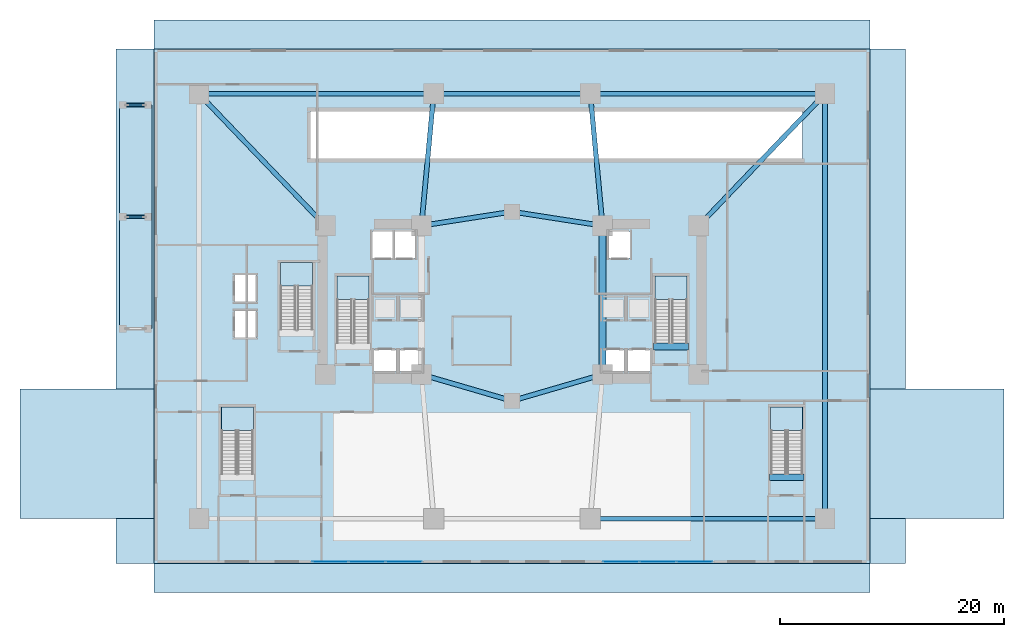
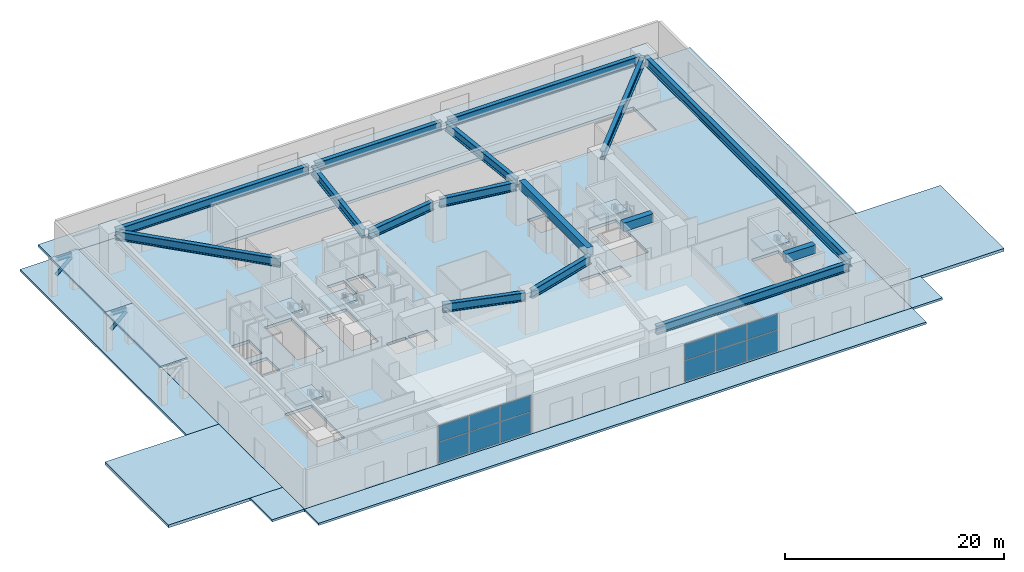
# One storey, part 8 of 18: 18 beams, 16 slabs, 12 plates, 2 members, 7 elements without a shape of their own.
"""IFC4 building model written with IfcOpenShell, lengths in metres."""

from ifc_helpers import new_model, si_unit, direction, frame, origin, origin_2d, place, context, subcontext, project, spatial, polyline, rectangle, hollow_circle, i_section, outline, extrude, material, layer, layer_set, material_profile, profile_set, type_object, element, aggregate, save


model = new_model("IFC4")

# Units and contexts
model_context = context("Model", 3, precision=1e-05, world=origin(), true_north=direction((0.0, 1.0)))
body_context = subcontext(model_context, "Body", "Model", "MODEL_VIEW")
ifc_project = project(units=[si_unit("LENGTHUNIT", "METRE"), si_unit("AREAUNIT", "SQUARE_METRE"), si_unit("VOLUMEUNIT", "CUBIC_METRE"), si_unit("PLANEANGLEUNIT", "RADIAN"), si_unit("MASSUNIT", "GRAM", prefix="KILO")], contexts=[model_context])

# Site, building, storey
site_placement = place(None, origin())
site = spatial("IfcSite", under=ifc_project, at=site_placement, CompositionType="ELEMENT")
building_placement = place(site_placement, origin())
building = spatial("IfcBuilding", under=site, at=building_placement, Name="Solvane Sanctuary Tower", CompositionType="ELEMENT")
storey_placement = place(building_placement, origin())
storey = spatial("IfcBuildingStorey", under=building, at=storey_placement, Name="L01", CompositionType="ELEMENT", Elevation=0.0)

# Beams
ifc_material_1 = material(Name="Concrete C70/85", Category="concrete")
ifc_material_profile_1 = material_profile(ifc_material_1, rectangle(XDim=0.60009765625, YDim=0.949951171875, at=origin_2d()), Name="RC600X950")
ifc_profile_set_1 = profile_set([ifc_material_profile_1], Name="Concrete C70/85")
beam_type_1 = type_object("IfcBeamType", Name="Beam B-COUPLE RC600X950", PredefinedType="LINTEL", material=ifc_profile_set_1)
beam_1_placement = place(storey_placement, frame((40.10009765625, 17.35009765625, 4.125), z_axis=(0.0, 1.0, 0.0), x_axis=(-1.0, 0.0, 0.0)))
element("IfcBeam", 1, at=beam_1_placement, inside=storey, type_object=beam_type_1, Name="L01 East Core Coupling Lintel", PredefinedType="LINTEL", context=body_context, shape_type="SweptSolid", body=[
    extrude(rectangle(XDim=0.60009765625, YDim=0.949951171875, at=origin_2d()), origin(), (0.0, 0.0, 1.0), 12.39990234375),
])
beam_2_placement = place(storey_placement, frame((44.64990234375, 19.399169921875, 4.125), z_axis=(1.0, 0.0, 0.0), x_axis=(0.0, 1.0, 0.0)))
element("IfcBeam", 2, at=beam_2_placement, inside=storey, type_object=beam_type_1, Name="L01 ST-2 Stair Floor Landing Trimmer", PredefinedType="LINTEL", context=body_context, shape_type="SweptSolid", body=[
    extrude(rectangle(XDim=0.60009765625, YDim=0.949951171875, at=origin_2d()), origin(), (0.0, 0.0, 1.0), 3.1201171875),
])
beam_3_placement = place(storey_placement, frame((55.010009765625, 7.69921875, 4.125), z_axis=(1.0, 0.0, 0.0), x_axis=(0.0, 1.0, 0.0)))
element("IfcBeam", 3, at=beam_3_placement, inside=storey, type_object=beam_type_1, Name="L01 ST-5 Stair Floor Landing Trimmer", PredefinedType="LINTEL", context=body_context, shape_type="SweptSolid", body=[
    extrude(rectangle(XDim=0.60009765625, YDim=0.949951171875, at=origin_2d()), origin(), (0.0, 0.0, 1.0), 3.119873046875),
])
ifc_material_2 = material(Name="Steel ASTM A913 Grade 65", Category="steel")
ifc_material_profile_2 = material_profile(ifc_material_2, i_section(OverallWidth=0.423095703125, OverallDepth=0.947998046875, WebThickness=0.02392578125, FlangeThickness=0.042724609375, FilletRadius=0.02392578125, at=origin_2d()), Name="W36X302")
ifc_profile_set_2 = profile_set([ifc_material_profile_2], Name="Steel ASTM A913 Grade 65")
beam_type_2 = type_object("IfcBeamType", Name="Beam B-POD-GIRD W36X302", PredefinedType="BEAM", material=ifc_profile_set_2)
beam_4_placement = place(storey_placement, frame((39.35009765625, 4.0, 3.803955078125), z_axis=(1.0, 0.0, 0.0), x_axis=(0.0, 1.0, 0.0)))
element("IfcBeam", 4, at=beam_4_placement, inside=storey, type_object=beam_type_2, Name="L01 Podium Primary Girder PG3", PredefinedType="BEAM", context=body_context, shape_type="SweptSolid", body=[
    extrude(i_section(OverallWidth=0.423095703125, OverallDepth=0.947998046875, WebThickness=0.02392578125, FlangeThickness=0.042724609375, FilletRadius=0.02392578125, at=origin_2d()), origin(), (0.0, 0.0, 1.0), 20.2998046875),
])
beam_5_placement = place(storey_placement, frame((60.0, 4.35009765625, 3.803955078125), z_axis=(0.0, 1.0, 0.0), x_axis=(-1.0, 0.0, 0.0)))
element("IfcBeam", 5, at=beam_5_placement, inside=storey, type_object=beam_type_2, Name="L01 Podium Primary Girder PG4", PredefinedType="BEAM", context=body_context, shape_type="SweptSolid", body=[
    extrude(i_section(OverallWidth=0.423095703125, OverallDepth=0.947998046875, WebThickness=0.02392578125, FlangeThickness=0.042724609375, FilletRadius=0.02392578125, at=origin_2d()), origin(), (0.0, 0.0, 1.0), 37.2998046875),
])
beam_6_placement = place(storey_placement, frame((59.64990234375, 42.0, 3.803955078125), z_axis=(-1.0, 0.0, 0.0), x_axis=(0.0, -1.0, 0.0)))
element("IfcBeam", 6, at=beam_6_placement, inside=storey, type_object=beam_type_2, Name="L01 Podium Primary Girder PG5", PredefinedType="BEAM", context=body_context, shape_type="SweptSolid", body=[
    extrude(i_section(OverallWidth=0.423095703125, OverallDepth=0.947998046875, WebThickness=0.02392578125, FlangeThickness=0.042724609375, FilletRadius=0.02392578125, at=origin_2d()), origin(), (0.0, 0.0, 1.0), 20.2998046875),
])
beam_7_placement = place(storey_placement, frame((38.64990234375, 42.0, 3.803955078125), z_axis=(-1.0, 0.0, 0.0), x_axis=(0.0, -1.0, 0.0)))
element("IfcBeam", 7, at=beam_7_placement, inside=storey, type_object=beam_type_2, Name="L01 Podium Primary Girder PG6", PredefinedType="BEAM", context=body_context, shape_type="SweptSolid", body=[
    extrude(i_section(OverallWidth=0.423095703125, OverallDepth=0.947998046875, WebThickness=0.02392578125, FlangeThickness=0.042724609375, FilletRadius=0.02392578125, at=origin_2d()), origin(), (0.0, 0.0, 1.0), 13.2998046875),
])
beam_8_placement = place(storey_placement, frame((24.64990234375, 42.0, 3.803955078125), z_axis=(-1.0, 0.0, 0.0), x_axis=(0.0, -1.0, 0.0)))
element("IfcBeam", 8, at=beam_8_placement, inside=storey, type_object=beam_type_2, Name="L01 Podium Primary Girder PG7", PredefinedType="BEAM", context=body_context, shape_type="SweptSolid", body=[
    extrude(i_section(OverallWidth=0.423095703125, OverallDepth=0.947998046875, WebThickness=0.02392578125, FlangeThickness=0.042724609375, FilletRadius=0.02392578125, at=origin_2d()), origin(), (0.0, 0.0, 1.0), 20.2998046875),
])
for number, where, z_axis, x_axis, name in (
    (9, (24.967529296875, 41.651611328125, 3.803955078125), (-0.092807615301, -0.9956840596, 0.0), (0.9956840596, -0.092807615301, 0.0), "L01 Podium Primary Girder PG11"),
    (10, (39.032470703125, 41.651611328125, 3.803955078125), (0.092807615301, -0.9956840596, 0.0), (0.9956840596, 0.092807615301, 0.0), "L01 Podium Primary Girder PG12"),
):
    element("IfcBeam", number, at=place(storey_placement, frame(where, z_axis=z_axis, x_axis=x_axis)), inside=storey, type_object=beam_type_2, Name=name, PredefinedType="BEAM", context=body_context, shape_type="SweptSolid", body=[
        extrude(i_section(OverallWidth=0.423095703125, OverallDepth=0.947998046875, WebThickness=0.02392578125, FlangeThickness=0.042724609375, FilletRadius=0.02392578125, at=origin_2d()), origin(), (0.0, 0.0, 1.0), 11.151123046875),
    ])
for number, where, z_axis, x_axis, name in (
    (11, (4.2421875, 41.747314453125, 3.803955078125), (0.691633366234, -0.722248770654, 0.0), (0.722248770654, 0.691633366234, 0.0), "L01 Podium Primary Girder PG14"),
    (12, (59.7578125, 41.747314453125, 3.803955078125), (-0.691633366234, -0.722248770654, 0.0), (0.722248770654, -0.691633366234, 0.0), "L01 Podium Primary Girder PG16"),
):
    element("IfcBeam", number, at=place(storey_placement, frame(where, z_axis=z_axis, x_axis=x_axis)), inside=storey, type_object=beam_type_2, Name=name, PredefinedType="BEAM", context=body_context, shape_type="SweptSolid", body=[
        extrude(i_section(OverallWidth=0.423095703125, OverallDepth=0.947998046875, WebThickness=0.02392578125, FlangeThickness=0.042724609375, FilletRadius=0.02392578125, at=origin_2d()), origin(), (0.0, 0.0, 1.0), 15.637939453125),
    ])
for number, where, z_axis, x_axis, name in (
    (13, (24.236083984375, 16.802001953125, 3.803955078125), (0.960084424813, -0.279710380987, 0.0), (0.279710380987, 0.960084424813, 0.0), "L01 Podium Primary Girder PG17"),
    (14, (32.3359375, 14.637939453125, 3.803955078125), (0.960084424813, 0.279710380987, 0.0), (-0.279710380987, 0.960084424813, 0.0), "L01 Podium Primary Girder PG18"),
):
    element("IfcBeam", number, at=place(storey_placement, frame(where, z_axis=z_axis, x_axis=x_axis)), inside=storey, type_object=beam_type_2, Name=name, PredefinedType="BEAM", context=body_context, shape_type="SweptSolid", body=[
        extrude(i_section(OverallWidth=0.423095703125, OverallDepth=0.947998046875, WebThickness=0.02392578125, FlangeThickness=0.042724609375, FilletRadius=0.02392578125, at=origin_2d()), origin(), (0.0, 0.0, 1.0), 7.73681640625),
    ])
for number, where, z_axis, x_axis, name in (
    (15, (24.245849609375, 30.25390625, 3.803955078125), (0.988118117449, 0.153696408448, 0.0), (-0.153696408448, 0.988118117449, 0.0), "L01 Podium Primary Girder PG19"),
    (16, (32.345703125, 31.40625, 3.803955078125), (0.988118117449, -0.153696408448, 0.0), (0.153696408448, 0.988118117449, 0.0), "L01 Podium Primary Girder PG20"),
):
    element("IfcBeam", number, at=place(storey_placement, frame(where, z_axis=z_axis, x_axis=x_axis)), inside=storey, type_object=beam_type_2, Name=name, PredefinedType="BEAM", context=body_context, shape_type="SweptSolid", body=[
        extrude(i_section(OverallWidth=0.423095703125, OverallDepth=0.947998046875, WebThickness=0.02392578125, FlangeThickness=0.042724609375, FilletRadius=0.02392578125, at=origin_2d()), origin(), (0.0, 0.0, 1.0), 7.49755859375),
    ])
ifc_material_3 = material(Name="Steel ASTM A992 Grade 50", Category="steel")
ifc_material_profile_3 = material_profile(ifc_material_3, i_section(OverallWidth=0.180908203125, OverallDepth=0.4169921875, WebThickness=0.010986328125, FlangeThickness=0.018310546875, FilletRadius=0.012939453125, at=origin_2d()), Name="W16X57")
ifc_profile_set_3 = profile_set([ifc_material_profile_3], Name="Steel ASTM A992 Grade 50")
beam_type_3 = type_object("IfcBeamType", Name="Beam B-ROOF-BM W16X57", PredefinedType="BEAM", material=ifc_profile_set_3)
for number, where, z_axis, x_axis, name in (
    (17, (-2.47998046875, 31.0, 3.83154296875), (1.0, 0.0, 0.0), (0.0, 1.0, 0.0), "L01 Canopy Tie Beam W2"),
    (18, (-2.47998046875, 41.0, 3.83154296875), (1.0, 0.0, 0.0), (0.0, 1.0, 0.0), "L01 Canopy Tie Beam W3"),
):
    element("IfcBeam", number, at=place(storey_placement, frame(where, z_axis=z_axis, x_axis=x_axis)), inside=storey, type_object=beam_type_3, Name=name, PredefinedType="BEAM", context=body_context, shape_type="SweptSolid", body=[
        extrude(i_section(OverallWidth=0.180908203125, OverallDepth=0.4169921875, WebThickness=0.010986328125, FlangeThickness=0.018310546875, FilletRadius=0.012939453125, at=origin_2d()), origin(), (0.0, 0.0, 1.0), 1.60986328125),
    ])

# Members
ifc_material_4 = material(Name="Steel ASTM A500 Grade C", Category="steel")
ifc_material_profile_4 = material_profile(ifc_material_4, hollow_circle(Radius=0.161865234375, WallThickness=0.010009765625, at=origin_2d()), Name="CHS323.9X10")
ifc_profile_set_4 = profile_set([ifc_material_profile_4], Name="Steel ASTM A500 Grade C")
member_type = type_object("IfcMemberType", Name="Member M-CANOPY-ST CHS323.9X10", PredefinedType="STRUT", material=ifc_profile_set_4)
for number, where, z_axis, x_axis, name in (
    (19, (-2.467529296875, 31.0, 2.10009765625), (0.742196177403, 0.0, 0.670182687219), (0.0, 1.0, 0.0), "L01 Canopy Raking Strut W2"),
    (20, (-2.467529296875, 41.0, 2.10009765625), (0.742196177403, 0.0, 0.670182687219), (0.0, 1.0, 0.0), "L01 Canopy Raking Strut W3"),
):
    element("IfcMember", number, at=place(storey_placement, frame(where, z_axis=z_axis, x_axis=x_axis)), inside=storey, type_object=member_type, Name=name, PredefinedType="STRUT", context=body_context, shape_type="SweptSolid", body=[
        extrude(hollow_circle(Radius=0.161865234375, WallThickness=0.010009765625, at=origin_2d()), origin(), (0.0, 0.0, 1.0), 2.1357421875),
    ])

# Curtain wall, plates
ifc_material_5 = material(Name="Anodised Aluminium 6063-T6", Category="aluminium")
ifc_layer_1 = layer(ifc_material_5, 0.159912109375, Name="Anodised Aluminium 6063-T6")
ifc_layer_set_1 = layer_set([ifc_layer_1], Name="Anodised Aluminium 6063-T6")
curtain_wall_type = type_object("IfcCurtainWallType", Name="Curtain Wall CW-POD", PredefinedType="NOTDEFINED", material=ifc_layer_set_1)
curtain_wall_1_placement = place(storey_placement, origin())
curtain_wall_1 = element("IfcCurtainWall", 21, at=curtain_wall_1_placement, inside=storey, type_object=curtain_wall_type, Name="L01 Arrival Curtain Wall S2", PredefinedType="NOTDEFINED")
ifc_material_6 = material(Name="Dark Ceramic-Fritted Low-E Glass", Category="glass")
ifc_layer_2 = layer(ifc_material_6, 0.031982421875, Name="Dark Ceramic-Fritted Low-E Glass")
ifc_layer_set_2 = layer_set([ifc_layer_2], Name="Dark Ceramic-Fritted Low-E Glass")
plate_type = type_object("IfcPlateType", Name="Plate PN-FRIT-VIS", PredefinedType="CURTAIN_PANEL", material=ifc_layer_set_2)
plate_1_placement = place(storey_placement, frame((15.752197265625, 0.14990234375, 0.06494140625), z_axis=(0.0, 0.0, 1.0), x_axis=(1.0, 0.0, 0.0)))
plate_1 = element("IfcPlate", 22, at=plate_1_placement, type_object=plate_type, Name="CW-POD panel 1.1", PredefinedType="CURTAIN_PANEL", context=body_context, shape_type="SweptSolid", body=[
    extrude(rectangle(XDim=3.194091796875, YDim=0.031982421875, at=origin_2d()), origin(), (0.0, 0.0, 1.0), 2.302490234375),
])
plate_2_placement = place(storey_placement, frame((15.752197265625, 0.14990234375, 2.4326171875), z_axis=(0.0, 0.0, 1.0), x_axis=(1.0, 0.0, 0.0)))
plate_2 = element("IfcPlate", 23, at=plate_2_placement, type_object=plate_type, Name="CW-POD panel 1.2", PredefinedType="CURTAIN_PANEL", context=body_context, shape_type="SweptSolid", body=[
    extrude(rectangle(XDim=3.194091796875, YDim=0.031982421875, at=origin_2d()), origin(), (0.0, 0.0, 1.0), 1.782470703125),
])
plate_3_placement = place(storey_placement, frame((19.0400390625, 0.14990234375, 0.06494140625), z_axis=(0.0, 0.0, 1.0), x_axis=(1.0, 0.0, 0.0)))
plate_3 = element("IfcPlate", 24, at=plate_3_placement, type_object=plate_type, Name="CW-POD panel 2.1", PredefinedType="CURTAIN_PANEL", context=body_context, shape_type="SweptSolid", body=[
    extrude(rectangle(XDim=3.231689453125, YDim=0.031982421875, at=origin_2d()), origin(), (0.0, 0.0, 1.0), 2.302490234375),
])
plate_4_placement = place(storey_placement, frame((19.0400390625, 0.14990234375, 2.4326171875), z_axis=(0.0, 0.0, 1.0), x_axis=(1.0, 0.0, 0.0)))
plate_4 = element("IfcPlate", 25, at=plate_4_placement, type_object=plate_type, Name="CW-POD panel 2.2", PredefinedType="CURTAIN_PANEL", context=body_context, shape_type="SweptSolid", body=[
    extrude(rectangle(XDim=3.231689453125, YDim=0.031982421875, at=origin_2d()), origin(), (0.0, 0.0, 1.0), 1.782470703125),
])
plate_5_placement = place(storey_placement, frame((22.327880859375, 0.14990234375, 0.06494140625), z_axis=(0.0, 0.0, 1.0), x_axis=(1.0, 0.0, 0.0)))
plate_5 = element("IfcPlate", 26, at=plate_5_placement, type_object=plate_type, Name="CW-POD panel 3.1", PredefinedType="CURTAIN_PANEL", context=body_context, shape_type="SweptSolid", body=[
    extrude(rectangle(XDim=3.194091796875, YDim=0.031982421875, at=origin_2d()), origin(), (0.0, 0.0, 1.0), 2.302490234375),
])
plate_6_placement = place(storey_placement, frame((22.327880859375, 0.14990234375, 2.4326171875), z_axis=(0.0, 0.0, 1.0), x_axis=(1.0, 0.0, 0.0)))
plate_6 = element("IfcPlate", 27, at=plate_6_placement, type_object=plate_type, Name="CW-POD panel 3.2", PredefinedType="CURTAIN_PANEL", context=body_context, shape_type="SweptSolid", body=[
    extrude(rectangle(XDim=3.194091796875, YDim=0.031982421875, at=origin_2d()), origin(), (0.0, 0.0, 1.0), 1.782470703125),
])
aggregate(curtain_wall_1, [plate_1, plate_2, plate_3, plate_4, plate_5, plate_6])

curtain_wall_2_placement = place(storey_placement, origin())
curtain_wall_2 = element("IfcCurtainWall", 28, at=curtain_wall_2_placement, inside=storey, type_object=curtain_wall_type, Name="L01 Arrival Curtain Wall S4", PredefinedType="NOTDEFINED")
plate_7_placement = place(storey_placement, frame((41.752197265625, 0.14990234375, 0.06494140625), z_axis=(0.0, 0.0, 1.0), x_axis=(1.0, 0.0, 0.0)))
plate_7 = element("IfcPlate", 29, at=plate_7_placement, type_object=plate_type, Name="CW-POD panel 1.1", PredefinedType="CURTAIN_PANEL", context=body_context, shape_type="SweptSolid", body=[
    extrude(rectangle(XDim=3.194091796875, YDim=0.031982421875, at=origin_2d()), origin(), (0.0, 0.0, 1.0), 2.302490234375),
])
plate_8_placement = place(storey_placement, frame((41.752197265625, 0.14990234375, 2.4326171875), z_axis=(0.0, 0.0, 1.0), x_axis=(1.0, 0.0, 0.0)))
plate_8 = element("IfcPlate", 30, at=plate_8_placement, type_object=plate_type, Name="CW-POD panel 1.2", PredefinedType="CURTAIN_PANEL", context=body_context, shape_type="SweptSolid", body=[
    extrude(rectangle(XDim=3.194091796875, YDim=0.031982421875, at=origin_2d()), origin(), (0.0, 0.0, 1.0), 1.782470703125),
])
plate_9_placement = place(storey_placement, frame((45.0400390625, 0.14990234375, 0.06494140625), z_axis=(0.0, 0.0, 1.0), x_axis=(1.0, 0.0, 0.0)))
plate_9 = element("IfcPlate", 31, at=plate_9_placement, type_object=plate_type, Name="CW-POD panel 2.1", PredefinedType="CURTAIN_PANEL", context=body_context, shape_type="SweptSolid", body=[
    extrude(rectangle(XDim=3.231689453125, YDim=0.031982421875, at=origin_2d()), origin(), (0.0, 0.0, 1.0), 2.302490234375),
])
plate_10_placement = place(storey_placement, frame((45.0400390625, 0.14990234375, 2.4326171875), z_axis=(0.0, 0.0, 1.0), x_axis=(1.0, 0.0, 0.0)))
plate_10 = element("IfcPlate", 32, at=plate_10_placement, type_object=plate_type, Name="CW-POD panel 2.2", PredefinedType="CURTAIN_PANEL", context=body_context, shape_type="SweptSolid", body=[
    extrude(rectangle(XDim=3.231689453125, YDim=0.031982421875, at=origin_2d()), origin(), (0.0, 0.0, 1.0), 1.782470703125),
])
plate_11_placement = place(storey_placement, frame((48.327880859375, 0.14990234375, 0.06494140625), z_axis=(0.0, 0.0, 1.0), x_axis=(1.0, 0.0, 0.0)))
plate_11 = element("IfcPlate", 33, at=plate_11_placement, type_object=plate_type, Name="CW-POD panel 3.1", PredefinedType="CURTAIN_PANEL", context=body_context, shape_type="SweptSolid", body=[
    extrude(rectangle(XDim=3.194091796875, YDim=0.031982421875, at=origin_2d()), origin(), (0.0, 0.0, 1.0), 2.302490234375),
])
plate_12_placement = place(storey_placement, frame((48.327880859375, 0.14990234375, 2.4326171875), z_axis=(0.0, 0.0, 1.0), x_axis=(1.0, 0.0, 0.0)))
plate_12 = element("IfcPlate", 34, at=plate_12_placement, type_object=plate_type, Name="CW-POD panel 3.2", PredefinedType="CURTAIN_PANEL", context=body_context, shape_type="SweptSolid", body=[
    extrude(rectangle(XDim=3.194091796875, YDim=0.031982421875, at=origin_2d()), origin(), (0.0, 0.0, 1.0), 1.782470703125),
])
aggregate(curtain_wall_2, [plate_7, plate_8, plate_9, plate_10, plate_11, plate_12])

# Slabs
ifc_material_7 = material(Name="Precast concrete C40/50", Category="concrete")
ifc_layer_3 = layer(ifc_material_7, 0.239990234375, Name="Precast concrete C40/50")
ifc_layer_set_3 = layer_set([ifc_layer_3], Name="Precast concrete C40/50")
slab_type_1 = type_object("IfcSlabType", Name="Slab SL-APRON-240", PredefinedType="USERDEFINED", material=ifc_layer_set_3)
slab_1_placement = place(storey_placement, frame((0.0, 0.0, -0.239990234375)))
element("IfcSlab", 35, at=slab_1_placement, inside=storey, type_object=slab_type_1, Name="L01 Public Arrival Plaza Paving WEST-S", ObjectType="PAVING", PredefinedType="USERDEFINED", context=body_context, shape_type="SweptSolid", body=[
    extrude(outline(polyline([(-3.39990234375, 0.0), (0.0, 0.0), (0.0, 4.0), (-3.39990234375, 4.0), (-3.39990234375, 0.0)])), origin(), (0.0, 0.0, 1.0), 0.239990234375),
])
slab_2_placement = place(storey_placement, frame((0.0, 0.0, -0.239990234375)))
element("IfcSlab", 36, at=slab_2_placement, inside=storey, type_object=slab_type_1, Name="L01 Public Arrival Plaza Paving WEST-N", ObjectType="PAVING", PredefinedType="USERDEFINED", context=body_context, shape_type="SweptSolid", body=[
    extrude(outline(polyline([(-3.39990234375, 15.60009765625), (0.0, 15.60009765625), (0.0, 46.0), (-3.39990234375, 46.0), (-3.39990234375, 15.60009765625)])), origin(), (0.0, 0.0, 1.0), 0.239990234375),
])
slab_3_placement = place(storey_placement, frame((0.0, 0.0, -0.239990234375)))
element("IfcSlab", 37, at=slab_3_placement, inside=storey, type_object=slab_type_1, Name="L01 Public Arrival Plaza Paving EAST-S", ObjectType="PAVING", PredefinedType="USERDEFINED", context=body_context, shape_type="SweptSolid", body=[
    extrude(outline(polyline([(64.0, 0.0), (67.199951171875, 0.0), (67.199951171875, 4.0), (64.0, 4.0), (64.0, 0.0)])), origin(), (0.0, 0.0, 1.0), 0.239990234375),
])
slab_4_placement = place(storey_placement, frame((0.0, 0.0, -0.239990234375)))
element("IfcSlab", 38, at=slab_4_placement, inside=storey, type_object=slab_type_1, Name="L01 Public Arrival Plaza Paving EAST-N", ObjectType="PAVING", PredefinedType="USERDEFINED", context=body_context, shape_type="SweptSolid", body=[
    extrude(outline(polyline([(64.0, 15.60009765625), (67.199951171875, 15.60009765625), (67.199951171875, 46.0), (64.0, 46.0), (64.0, 15.60009765625)])), origin(), (0.0, 0.0, 1.0), 0.239990234375),
])
slab_5_placement = place(storey_placement, frame((0.0, 0.0, -0.239990234375)))
element("IfcSlab", 39, at=slab_5_placement, inside=storey, type_object=slab_type_1, Name="L01 Public Arrival Plaza Paving SOUTH", ObjectType="PAVING", PredefinedType="USERDEFINED", context=body_context, shape_type="SweptSolid", body=[
    extrude(outline(polyline([(0.0, -2.60009765625), (64.0, -2.60009765625), (64.0, 0.0), (0.0, 0.0), (0.0, -2.60009765625)])), origin(), (0.0, 0.0, 1.0), 0.239990234375),
])
slab_6_placement = place(storey_placement, frame((0.0, 0.0, -0.239990234375)))
element("IfcSlab", 40, at=slab_6_placement, inside=storey, type_object=slab_type_1, Name="L01 Public Arrival Plaza Paving NORTH", ObjectType="PAVING", PredefinedType="USERDEFINED", context=body_context, shape_type="SweptSolid", body=[
    extrude(outline(polyline([(0.0, 46.0), (64.0, 46.0), (64.0, 48.60009765625), (0.0, 48.60009765625), (0.0, 46.0)])), origin(), (0.0, 0.0, 1.0), 0.239990234375),
])
ifc_layer_4 = layer(ifc_material_7, 0.179931640625, Name="Precast concrete C40/50")
ifc_layer_set_4 = layer_set([ifc_layer_4], Name="Precast concrete C40/50")
slab_type_2 = type_object("IfcSlabType", Name="Slab SL-CANOPY-180", PredefinedType="ROOF", material=ifc_layer_set_4)
slab_7_placement = place(storey_placement, frame((0.0, 0.0, 4.0400390625)))
element("IfcSlab", 41, at=slab_7_placement, inside=storey, type_object=slab_type_2, Name="L01 West Arrival Colonnade Canopy 1", PredefinedType="ROOF", context=body_context, shape_type="SweptSolid", body=[
    extrude(outline(polyline([(-3.10009765625, 21.0), (-0.199951171875, 21.0), (-0.199951171875, 31.0), (-3.10009765625, 31.0), (-3.10009765625, 21.0)])), origin(), (0.0, 0.0, 1.0), 0.179931640625),
])
slab_8_placement = place(storey_placement, frame((0.0, 0.0, 4.0400390625)))
element("IfcSlab", 42, at=slab_8_placement, inside=storey, type_object=slab_type_2, Name="L01 West Arrival Colonnade Canopy 2", PredefinedType="ROOF", context=body_context, shape_type="SweptSolid", body=[
    extrude(outline(polyline([(-3.10009765625, 31.0), (-0.199951171875, 31.0), (-0.199951171875, 41.0), (-3.10009765625, 41.0), (-3.10009765625, 31.0)])), origin(), (0.0, 0.0, 1.0), 0.179931640625),
])

# Stair, slab
ifc_material_8 = material(Name="Concrete C45/55", Category="concrete")
stair_type_1 = type_object("IfcStairType", Name="Stair ST-TOW", PredefinedType="HALF_TURN_STAIR", material=ifc_material_8)
stair_1_placement = place(storey_placement, origin())
stair_1 = element("IfcStair", 43, at=stair_1_placement, inside=storey, type_object=stair_type_1, Name="L01 Exit Stair ST-1 West Core", PredefinedType="HALF_TURN_STAIR")
ifc_layer_5 = layer(ifc_material_8, 0.199951171875, Name="Concrete C45/55")
ifc_layer_set_5 = layer_set([ifc_layer_5], Name="Concrete C45/55")
slab_type_3 = type_object("IfcSlabType", Name="Slab SL-LAND-180", PredefinedType="LANDING", material=ifc_layer_set_5)
slab_9_placement = place(storey_placement, frame((0.0, 0.0, 2.10009765625)))
slab_9 = element("IfcSlab", 44, at=slab_9_placement, type_object=slab_type_3, Name="ST-1 landing 1", PredefinedType="LANDING", context=body_context, shape_type="SweptSolid", body=[
    extrude(outline(polyline([(19.219970703125, 23.60009765625), (19.219970703125, 25.699951171875), (16.360107421875, 25.699951171875), (16.360107421875, 23.60009765625), (19.219970703125, 23.60009765625)])), origin(), (0.0, 0.0, 1.0), 0.199951171875),
])
aggregate(stair_1, [slab_9])

stair_2_placement = place(storey_placement, origin())
stair_2 = element("IfcStair", 45, at=stair_2_placement, inside=storey, type_object=stair_type_1, Name="L01 Exit Stair ST-2 East Core", PredefinedType="HALF_TURN_STAIR")
slab_10_placement = place(storey_placement, frame((0.0, 0.0, 2.10009765625)))
slab_10 = element("IfcSlab", 46, at=slab_10_placement, type_object=slab_type_3, Name="ST-2 landing 1", PredefinedType="LANDING", context=body_context, shape_type="SweptSolid", body=[
    extrude(outline(polyline([(47.639892578125, 23.60009765625), (47.639892578125, 25.699951171875), (44.780029296875, 25.699951171875), (44.780029296875, 23.60009765625), (47.639892578125, 23.60009765625)])), origin(), (0.0, 0.0, 1.0), 0.199951171875),
])
aggregate(stair_2, [slab_10])

stair_3_placement = place(storey_placement, origin())
stair_3 = element("IfcStair", 47, at=stair_3_placement, inside=storey, type_object=stair_type_1, Name="L01 Exit Stair ST-3 Pilgrim Tower Stair", PredefinedType="HALF_TURN_STAIR")
slab_11_placement = place(storey_placement, frame((0.0, 0.0, 2.10009765625)))
slab_11 = element("IfcSlab", 48, at=slab_11_placement, type_object=slab_type_3, Name="ST-3 landing 1", PredefinedType="LANDING", context=body_context, shape_type="SweptSolid", body=[
    extrude(outline(polyline([(14.159912109375, 24.800048828125), (14.159912109375, 26.89990234375), (11.300048828125, 26.89990234375), (11.300048828125, 24.800048828125), (14.159912109375, 24.800048828125)])), origin(), (0.0, 0.0, 1.0), 0.199951171875),
])
aggregate(stair_3, [slab_11])

ifc_material_9 = material(Name="Concrete C50/60", Category="concrete")
stair_type_2 = type_object("IfcStairType", Name="Stair ST-POD", PredefinedType="HALF_TURN_STAIR", material=ifc_material_9)
stair_4_placement = place(storey_placement, origin())
stair_4 = element("IfcStair", 49, at=stair_4_placement, inside=storey, type_object=stair_type_2, Name="L01 Exit Stair ST-4 Metro West Stair", PredefinedType="HALF_TURN_STAIR")
slab_12_placement = place(storey_placement, frame((0.0, 0.0, 2.10009765625)))
slab_12 = element("IfcSlab", 50, at=slab_12_placement, type_object=slab_type_3, Name="ST-4 landing 1", PredefinedType="LANDING", context=body_context, shape_type="SweptSolid", body=[
    extrude(outline(polyline([(8.860107421875, 11.89990234375), (8.860107421875, 14.0), (6.0, 14.0), (6.0, 11.89990234375), (8.860107421875, 11.89990234375)])), origin(), (0.0, 0.0, 1.0), 0.199951171875),
])
aggregate(stair_4, [slab_12])

stair_type_3 = type_object("IfcStairType", Name="Stair ST-METRO", PredefinedType="HALF_TURN_STAIR", material=ifc_material_9)
stair_5_placement = place(storey_placement, origin())
stair_5 = element("IfcStair", 51, at=stair_5_placement, inside=storey, type_object=stair_type_3, Name="L01 Exit Stair ST-5 Metro East Stair", PredefinedType="HALF_TURN_STAIR")
slab_13_placement = place(storey_placement, frame((0.0, 0.0, 2.10009765625)))
slab_13 = element("IfcSlab", 52, at=slab_13_placement, type_object=slab_type_3, Name="ST-5 landing 1", PredefinedType="LANDING", context=body_context, shape_type="SweptSolid", body=[
    extrude(outline(polyline([(58.0, 11.89990234375), (58.0, 14.0), (55.139892578125, 14.0), (55.139892578125, 11.89990234375), (58.0, 11.89990234375)])), origin(), (0.0, 0.0, 1.0), 0.199951171875),
])
aggregate(stair_5, [slab_13])

# Slabs
ifc_layer_6 = layer(ifc_material_9, 0.320068359375, Name="Concrete C50/60")
ifc_layer_set_6 = layer_set([ifc_layer_6], Name="Concrete C50/60")
slab_type_4 = type_object("IfcSlabType", Name="Slab SL-POD-300", PredefinedType="FLOOR", material=ifc_layer_set_6)
slab_14_placement = place(storey_placement, frame((0.0, 0.0, -0.320068359375)))
element("IfcSlab", 53, at=slab_14_placement, inside=storey, type_object=slab_type_4, Name="L01 Primary Structural Slab", PredefinedType="FLOOR", context=body_context, shape_type="SweptSolid", body=[
    extrude(outline(polyline([(0.0, 0.0), (64.0, 0.0), (64.0, 46.0), (0.0, 46.0), (0.0, 0.0)]), holes=[polyline([(16.360107421875, 19.699951171875), (16.360107421875, 25.699951171875), (19.219970703125, 25.699951171875), (19.219970703125, 19.699951171875), (16.360107421875, 19.699951171875)]), polyline([(44.780029296875, 19.699951171875), (44.780029296875, 25.699951171875), (47.639892578125, 25.699951171875), (47.639892578125, 19.699951171875), (44.780029296875, 19.699951171875)]), polyline([(11.300048828125, 20.89990234375), (11.300048828125, 26.89990234375), (14.159912109375, 26.89990234375), (14.159912109375, 20.89990234375), (11.300048828125, 20.89990234375)]), polyline([(6.0, 8.0), (6.0, 14.0), (8.860107421875, 14.0), (8.860107421875, 8.0), (6.0, 8.0)]), polyline([(55.139892578125, 8.0), (55.139892578125, 14.0), (58.0, 14.0), (58.0, 8.0), (55.139892578125, 8.0)]), polyline([(19.64990234375, 19.080078125), (21.64990234375, 19.080078125), (21.64990234375, 17.179931640625), (19.64990234375, 17.179931640625), (19.64990234375, 19.080078125)]), polyline([(21.949951171875, 19.080078125), (23.949951171875, 19.080078125), (23.949951171875, 17.179931640625), (21.949951171875, 17.179931640625), (21.949951171875, 19.080078125)]), polyline([(40.050048828125, 19.080078125), (42.050048828125, 19.080078125), (42.050048828125, 17.179931640625), (40.050048828125, 17.179931640625), (40.050048828125, 19.080078125)]), polyline([(42.35009765625, 19.080078125), (44.35009765625, 19.080078125), (44.35009765625, 17.179931640625), (42.35009765625, 17.179931640625), (42.35009765625, 19.080078125)]), polyline([(19.5, 29.699951171875), (21.300048828125, 29.699951171875), (21.300048828125, 27.300048828125), (19.5, 27.300048828125), (19.5, 29.699951171875)]), polyline([(21.550048828125, 29.699951171875), (23.35009765625, 29.699951171875), (23.35009765625, 27.300048828125), (21.550048828125, 27.300048828125), (21.550048828125, 29.699951171875)]), polyline([(40.64990234375, 29.699951171875), (42.550048828125, 29.699951171875), (42.550048828125, 27.300048828125), (40.64990234375, 27.300048828125), (40.64990234375, 29.699951171875)]), polyline([(7.199951171875, 22.60009765625), (9.10009765625, 22.60009765625), (9.10009765625, 20.199951171875), (7.199951171875, 20.199951171875), (7.199951171875, 22.60009765625)]), polyline([(7.199951171875, 25.800048828125), (9.10009765625, 25.800048828125), (9.10009765625, 23.39990234375), (7.199951171875, 23.39990234375), (7.199951171875, 25.800048828125)]), polyline([(14.0, 40.39990234375), (58.0, 40.39990234375), (58.0, 36.199951171875), (14.0, 36.199951171875), (14.0, 40.39990234375)])]), origin(), (0.0, 0.0, 1.0), 0.320068359375),
])
slab_15_placement = place(storey_placement, frame((0.0, 0.0, -0.320068359375)))
element("IfcSlab", 54, at=slab_15_placement, inside=storey, type_object=slab_type_4, Name="L01 West Metro Platform Headhouse Roof Slab", PredefinedType="FLOOR", context=body_context, shape_type="SweptSolid", body=[
    extrude(outline(polyline([(-12.0, 4.0), (0.0, 4.0), (0.0, 15.60009765625), (-12.0, 15.60009765625), (-12.0, 4.0)])), origin(), (0.0, 0.0, 1.0), 0.320068359375),
])
slab_16_placement = place(storey_placement, frame((0.0, 0.0, -0.320068359375)))
element("IfcSlab", 55, at=slab_16_placement, inside=storey, type_object=slab_type_4, Name="L01 East Metro Platform Headhouse Roof Slab", PredefinedType="FLOOR", context=body_context, shape_type="SweptSolid", body=[
    extrude(outline(polyline([(64.0, 4.0), (76.0, 4.0), (76.0, 15.60009765625), (64.0, 15.60009765625), (64.0, 4.0)])), origin(), (0.0, 0.0, 1.0), 0.320068359375),
])

save(model, "model.ifc")
